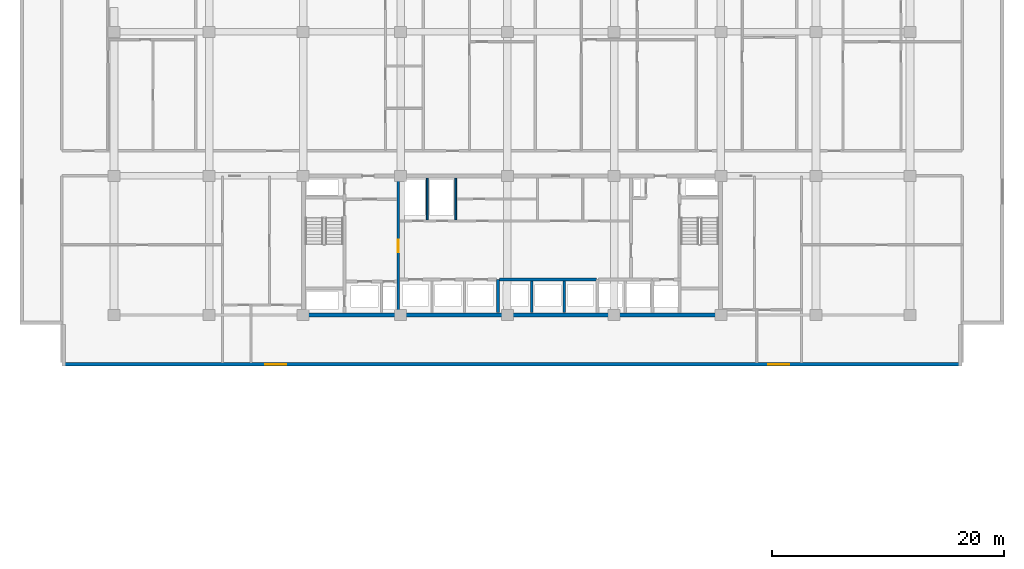
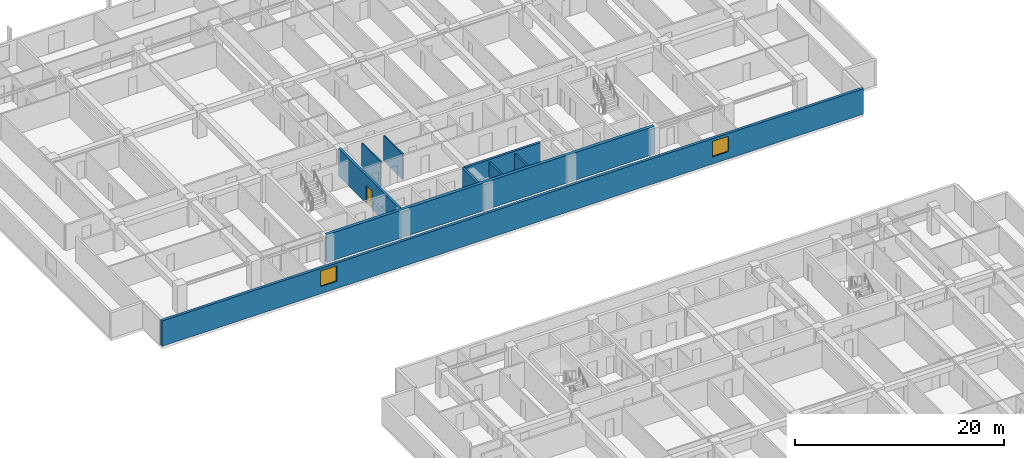
# One storey, part 12 of 24: 9 walls, 2 windows, 1 door, 3 openings.
"""IFC4 building model written with IfcOpenShell, lengths in metres."""

from ifc_helpers import new_model, si_unit, direction, frame, frame_2d, origin, place, context, subcontext, project, spatial, rectangle, extrude, material, layer, layer_set, type_object, element, fill, save


model = new_model("IFC4")

# Units and contexts
model_context = context("Model", 3, precision=1e-05, world=origin(), true_north=direction((0.0, 1.0)))
body_context = subcontext(model_context, "Body", "Model", "MODEL_VIEW")
ifc_project = project(units=[si_unit("LENGTHUNIT", "METRE"), si_unit("AREAUNIT", "SQUARE_METRE"), si_unit("VOLUMEUNIT", "CUBIC_METRE"), si_unit("PLANEANGLEUNIT", "RADIAN"), si_unit("MASSUNIT", "GRAM", prefix="KILO")], contexts=[model_context])

# Site, building, storey
site_placement = place(None, origin())
site = spatial("IfcSite", under=ifc_project, at=site_placement, CompositionType="ELEMENT")
building_placement = place(site_placement, origin())
building = spatial("IfcBuilding", under=site, at=building_placement, Name="Korimba Cascade Residences", CompositionType="ELEMENT")
storey_placement = place(building_placement, frame((0.0, 0.0, 63.0)))
storey = spatial("IfcBuildingStorey", under=building, at=storey_placement, Name="L17", CompositionType="ELEMENT", Elevation=63.0)

# Wall, openings, windows
ifc_material_1 = material(Name="Precast concrete C40/50", Category="concrete")
ifc_layer_1 = layer(ifc_material_1, 0.300048828125)
ifc_layer_set_1 = layer_set([ifc_layer_1], Name="Precast concrete C40/50")
wall_type_1 = type_object("IfcWallType", Name="EW-STONE-300", PredefinedType="STANDARD", material=ifc_layer_set_1)
wall_1_placement = place(storey_placement, frame((55.300048828125, 50.949951171875, 0.0), z_axis=(0.0, 0.0, 1.0), x_axis=(1.0, 0.0, 0.0)))
wall_1 = element("IfcWall", 1, at=wall_1_placement, inside=storey, type_object=wall_type_1, Name="L17 T1 Perimeter Stone Wall E00", PredefinedType="STANDARD", context=body_context, shape_type="SweptSolid", body=[
    extrude(rectangle(XDim=77.599853515625, YDim=0.300048828125, at=frame_2d((38.7998046875, 0.0))), origin(), (0.0, 0.0, 1.0), 2.969970703125),
])
opening_1_placement = place(wall_1_placement, frame((17.52490234375, 0.0, 0.85009765625)))
opening_1 = element("IfcOpeningElement", 2, at=opening_1_placement, cuts=wall_1, Name="Opening W-02", PredefinedType="OPENING", context=body_context, shape_type="SweptSolid", body=[
    extrude(rectangle(XDim=1.800048828125, YDim=1.800048828125, at=frame_2d((0.89990234375, 0.89990234375))), frame((0.0, 0.16015625, 0.0), z_axis=(0.0, -1.0, 0.0), x_axis=(1.0, 0.0, 0.0)), (0.0, 0.0, 1.0), 0.320068359375),
])
opening_2_placement = place(wall_1_placement, frame((60.875, 0.0, 0.85009765625)))
opening_2 = element("IfcOpeningElement", 3, at=opening_2_placement, cuts=wall_1, Name="Opening W-02", PredefinedType="OPENING", context=body_context, shape_type="SweptSolid", body=[
    extrude(rectangle(XDim=1.800048828125, YDim=1.800048828125, at=frame_2d((0.89990234375, 0.89990234375))), frame((0.0, 0.16015625, 0.0), z_axis=(0.0, -1.0, 0.0), x_axis=(1.0, 0.0, 0.0)), (0.0, 0.0, 1.0), 0.320068359375),
])
ifc_material_2 = material(Name="Double-Glazed Aluminium Window", Category="aluminium")
window_type = type_object("IfcWindowType", Name="WIN-BED-1800", PartitioningType="SINGLE_PANEL", PredefinedType="WINDOW", material=ifc_material_2)
window_1_placement = place(opening_1_placement, origin())
window_1 = element("IfcWindow", 4, at=window_1_placement, inside=storey, type_object=window_type, Name="L17 T1 South Corner Bedroom Window 1", OverallHeight=1.800048828125, OverallWidth=1.800048828125, PartitioningType="SINGLE_PANEL", PredefinedType="WINDOW", context=body_context, shape_type="SweptSolid", body=[
    extrude(rectangle(XDim=1.800048828125, YDim=1.800048828125, at=frame_2d((0.89990234375, 0.89990234375))), frame((0.0, 0.030029296875, 0.0), z_axis=(0.0, -1.0, 0.0), x_axis=(1.0, 0.0, 0.0)), (0.0, 0.0, 1.0), 0.06005859375),
])
fill(opening_1, window_1)
window_2_placement = place(opening_2_placement, origin())
window_2 = element("IfcWindow", 5, at=window_2_placement, inside=storey, type_object=window_type, Name="L17 T1 South Corner Bedroom Window 2", OverallHeight=1.800048828125, OverallWidth=1.800048828125, PartitioningType="SINGLE_PANEL", PredefinedType="WINDOW", context=body_context, shape_type="SweptSolid", body=[
    extrude(rectangle(XDim=1.800048828125, YDim=1.800048828125, at=frame_2d((0.89990234375, 0.89990234375))), frame((0.0, 0.030029296875, 0.0), z_axis=(0.0, -1.0, 0.0), x_axis=(1.0, 0.0, 0.0)), (0.0, 0.0, 1.0), 0.06005859375),
])
fill(opening_2, window_2)

# Walls
ifc_material_3 = material(Name="Concrete C65/80", Category="concrete")
ifc_layer_2 = layer(ifc_material_3, 0.35009765625)
ifc_layer_set_2 = layer_set([ifc_layer_2], Name="Concrete C65/80")
wall_type_2 = type_object("IfcWallType", Name="WAL-CORE-350", PredefinedType="SHEAR", material=ifc_layer_set_2)
wall_2_placement = place(storey_placement, frame((75.949951171875, 55.199951171875, 0.0), z_axis=(0.0, 0.0, 1.0), x_axis=(1.0, 0.0, 0.0)))
element("IfcWall", 6, at=wall_2_placement, inside=storey, type_object=wall_type_2, Name="L17 Core Shear Wall CW-L17-T1-S", PredefinedType="SHEAR", context=body_context, shape_type="SweptSolid", body=[
    extrude(rectangle(XDim=36.300048828125, YDim=0.35009765625, at=frame_2d((18.14990234375, 0.0))), origin(), (0.0, 0.0, 1.0), 3.25),
])
ifc_material_4 = material(Name="Insulated Acoustic Stud Partition", Category="gypsum")
ifc_layer_3 = layer(ifc_material_4, 0.14990234375)
ifc_layer_set_3 = layer_set([ifc_layer_3], Name="Insulated Acoustic Stud Partition")
wall_type_3 = type_object("IfcWallType", Name="WAL-PART-150", PredefinedType="PARTITIONING", material=ifc_layer_set_3)
for number, where, z_axis, x_axis, name in (
    (7, (86.800048828125, 63.39990234375, 0.0), (0.0, 0.0, 1.0), (0.0, 1.0, 0.0), "L17 Partition Wall CW-L17-T1-ERDIV"),
    (8, (89.25, 63.39990234375, 0.0), (0.0, 0.0, 1.0), (0.0, 1.0, 0.0), "L17 Partition Wall CW-L17-T1-PRDIV"),
):
    element("IfcWall", number, at=place(storey_placement, frame(where, z_axis=z_axis, x_axis=x_axis)), inside=storey, type_object=wall_type_3, Name=name, PredefinedType="PARTITIONING", context=body_context, shape_type="SweptSolid", body=[
        extrude(rectangle(XDim=3.60009765625, YDim=0.14990234375, at=frame_2d((1.800048828125, 0.0))), origin(), (0.0, 0.0, 1.0), 2.969970703125),
    ])
ifc_material_5 = material(Name="Concrete C40/50", Category="concrete")
ifc_layer_4 = layer(ifc_material_5, 0.199951171875)
ifc_layer_set_4 = layer_set([ifc_layer_4], Name="Concrete C40/50")
wall_type_4 = type_object("IfcWallType", Name="WAL-PART-200", PredefinedType="PARTITIONING", material=ifc_layer_set_4)
for number, where, z_axis, x_axis, name in (
    (9, (95.800048828125, 55.39990234375, 0.0), (0.0, 0.0, 1.0), (0.0, 1.0, 0.0), "L17 Partition Wall CW-L17-T1-B2D1"),
    (10, (98.60009765625, 55.39990234375, 0.0), (0.0, 0.0, 1.0), (0.0, 1.0, 0.0), "L17 Partition Wall CW-L17-T1-B2D2"),
):
    element("IfcWall", number, at=place(storey_placement, frame(where, z_axis=z_axis, x_axis=x_axis)), inside=storey, type_object=wall_type_4, Name=name, PredefinedType="PARTITIONING", context=body_context, shape_type="SweptSolid", body=[
        extrude(rectangle(XDim=2.72021484375, YDim=0.199951171875, at=frame_2d((1.360107421875, 0.0))), origin(), (0.0, 0.0, 1.0), 2.969970703125),
    ])

# Wall, opening, door
ifc_material_6 = material(Name="Concrete C50/60", Category="concrete")
ifc_layer_5 = layer(ifc_material_6, 0.25)
ifc_layer_set_5 = layer_set([ifc_layer_5], Name="Concrete C50/60")
wall_type_5 = type_object("IfcWallType", Name="WAL-SHAFT-250", PredefinedType="SHEAR", material=ifc_layer_set_5)
wall_3_placement = place(storey_placement, frame((84.300048828125, 55.39990234375, 0.0), z_axis=(0.0, 0.0, 1.0), x_axis=(0.0, 1.0, 0.0)))
wall_3 = element("IfcWall", 11, at=wall_3_placement, inside=storey, type_object=wall_type_5, Name="L17 Core Shear Wall CW-L17-T1-FFLE", PredefinedType="SHEAR", context=body_context, shape_type="SweptSolid", body=[
    extrude(rectangle(XDim=11.60009765625, YDim=0.25, at=frame_2d((5.800048828125, 0.0))), origin(), (0.0, 0.0, 1.0), 3.25),
])
opening_3_placement = place(wall_3_placement, frame((5.199951171875, 0.0, 0.0)))
opening_3 = element("IfcOpeningElement", 12, at=opening_3_placement, cuts=wall_3, Name="Opening D-FD1", PredefinedType="OPENING", context=body_context, shape_type="SweptSolid", body=[
    extrude(rectangle(XDim=1.10009765625, YDim=2.10009765625, at=frame_2d((0.550048828125, 1.050048828125))), frame((0.0, 0.135009765625, 0.0), z_axis=(0.0, -1.0, 0.0), x_axis=(1.0, 0.0, 0.0)), (0.0, 0.0, 1.0), 0.27001953125),
])
ifc_material_7 = material(Name="Fire-Rated Steel Core Door", Category="steel")
door_type = type_object("IfcDoorType", Name="DR-FD120-1100", OperationType="NOTDEFINED", PredefinedType="DOOR", material=ifc_material_7)
door_placement = place(opening_3_placement, origin())
door = element("IfcDoor", 13, at=door_placement, inside=storey, type_object=door_type, Name="L17 Firefighting Lobby to Lift Lobby Door", OperationType="SINGLE_SWING_LEFT", OverallHeight=2.10009765625, OverallWidth=1.10009765625, PredefinedType="DOOR", context=body_context, shape_type="SweptSolid", body=[
    extrude(rectangle(XDim=1.10009765625, YDim=2.10009765625, at=frame_2d((0.550048828125, 1.050048828125))), frame((0.0, 0.02490234375, 0.0), z_axis=(0.0, -1.0, 0.0), x_axis=(1.0, 0.0, 0.0)), (0.0, 0.0, 1.0), 0.050048828125),
])
fill(opening_3, door)

# Walls
wall_4_placement = place(storey_placement, frame((92.89990234375, 55.39990234375, 0.0), z_axis=(0.0, 0.0, 1.0), x_axis=(0.0, 1.0, 0.0)))
element("IfcWall", 14, at=wall_4_placement, inside=storey, type_object=wall_type_5, Name="L17 Core Shear Wall CW-L17-T1-B12DIV", PredefinedType="SHEAR", context=body_context, shape_type="SweptSolid", body=[
    extrude(rectangle(XDim=2.85009765625, YDim=0.25, at=frame_2d((1.425048828125, 0.0))), origin(), (0.0, 0.0, 1.0), 3.25),
])
wall_5_placement = place(storey_placement, frame((93.02001953125, 58.25, 0.0), z_axis=(0.0, 0.0, 1.0), x_axis=(1.0, 0.0, 0.0)))
element("IfcWall", 15, at=wall_5_placement, inside=storey, type_object=wall_type_5, Name="L17 Core Shear Wall CW-L17-T1-B2N", PredefinedType="SHEAR", context=body_context, shape_type="SweptSolid", body=[
    extrude(rectangle(XDim=8.35986328125, YDim=0.25, at=frame_2d((4.179931640625, 0.0))), origin(), (0.0, 0.0, 1.0), 3.25),
])

save(model, "model.ifc")
